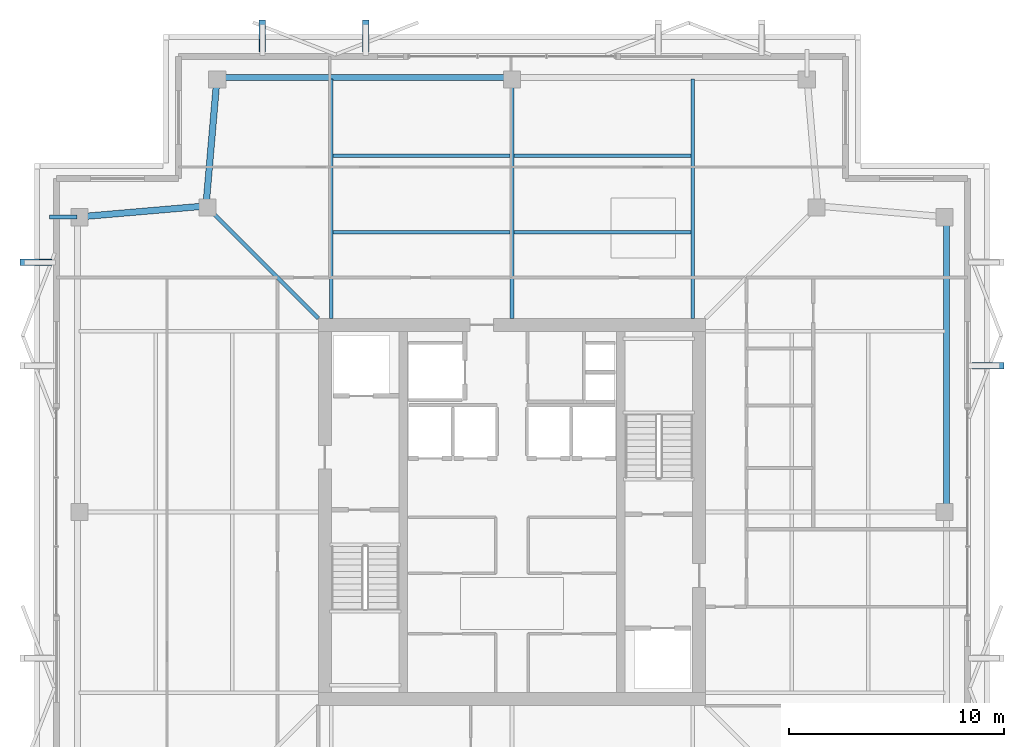
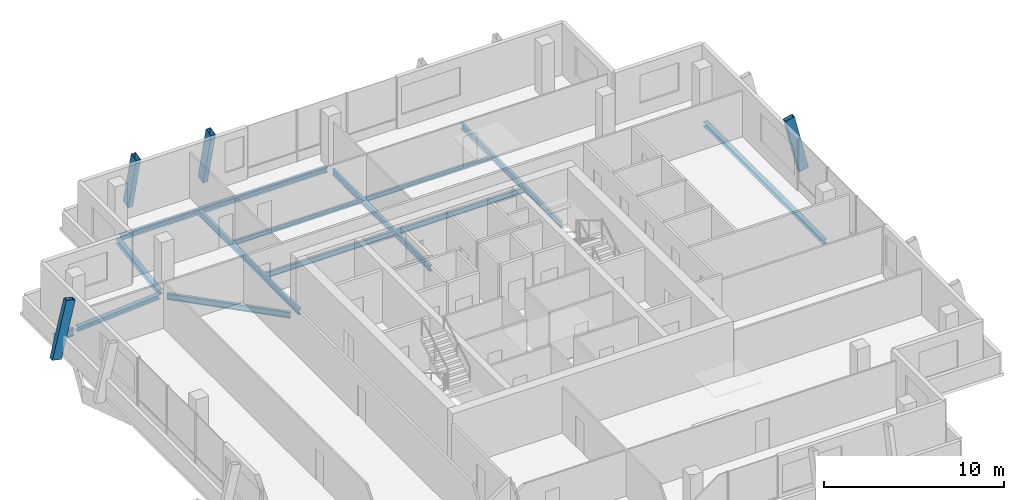
# One storey, part 11 of 18: 13 beams, 4 members.
"""IFC4 building model written with IfcOpenShell, lengths in metres."""

from ifc_helpers import new_model, si_unit, direction, frame, origin, origin_2d, place, context, subcontext, project, spatial, hollow_rectangle, i_section, extrude, material, material_profile, profile_set, type_object, element, save


model = new_model("IFC4")

# Units and contexts
model_context = context("Model", 3, precision=1e-05, world=origin(), true_north=direction((0.0, 1.0)))
body_context = subcontext(model_context, "Body", "Model", "MODEL_VIEW")
ifc_project = project(units=[si_unit("LENGTHUNIT", "METRE"), si_unit("AREAUNIT", "SQUARE_METRE"), si_unit("VOLUMEUNIT", "CUBIC_METRE"), si_unit("PLANEANGLEUNIT", "RADIAN"), si_unit("MASSUNIT", "GRAM", prefix="KILO")], contexts=[model_context])

# Site, building, storey
site_placement = place(None, origin())
site = spatial("IfcSite", under=ifc_project, at=site_placement, CompositionType="ELEMENT")
building_placement = place(site_placement, origin())
building = spatial("IfcBuilding", under=site, at=building_placement, Name="Belovzor Exchange Tower", CompositionType="ELEMENT")
storey_placement = place(building_placement, frame((0.0, 0.0, 344.25)))
storey = spatial("IfcBuildingStorey", under=building, at=storey_placement, Name="L86", CompositionType="ELEMENT", Elevation=344.25)

# Beams
ifc_material_1 = material(Name="Steel S355", Category="steel")
ifc_material_profile_1 = material_profile(ifc_material_1, i_section(OverallWidth=0.199951171875, OverallDepth=0.5, WebThickness=0.01025390625, FlangeThickness=0.01611328125, at=origin_2d()))
ifc_profile_set_1 = profile_set([ifc_material_profile_1], Name="Steel S355")
beam_type_1 = type_object("IfcBeamType", Name="Planted Balcony Cantilever Beam IPE 500", PredefinedType="BEAM", material=ifc_profile_set_1)
beam_1_placement = place(storey_placement, frame((8.58203125, 42.512939453125, -0.489990234375), z_axis=(-1.0, 0.0, 0.0), x_axis=(0.0, -1.0, 0.0)))
element("IfcBeam", 1, at=beam_1_placement, inside=storey, type_object=beam_type_1, Name="BC-500 Planted Balcony Cantilever Beam IPE 500", PredefinedType="BEAM", context=body_context, shape_type="SweptSolid", body=[
    extrude(i_section(OverallWidth=0.199951171875, OverallDepth=0.5, WebThickness=0.01025390625, FlangeThickness=0.01611328125, at=origin_2d()), origin(), (0.0, 0.0, 1.0), 1.281982421875),
])
ifc_material_2 = material(Name="Steel S355", Category="steel")
ifc_material_profile_2 = material_profile(ifc_material_2, i_section(OverallWidth=0.169921875, OverallDepth=0.360107421875, WebThickness=0.008056640625, FlangeThickness=0.0126953125, at=origin_2d()))
ifc_profile_set_2 = profile_set([ifc_material_profile_2], Name="Steel S355")
beam_type_2 = type_object("IfcBeamType", Name="Secondary Infill Floor Joist IPE 360", PredefinedType="BEAM", material=ifc_profile_set_2)
beam_2_placement = place(storey_placement, frame((20.489990234375, 41.802978515625, -0.419921875), z_axis=(1.0, 0.0, 0.0), x_axis=(0.0, 1.0, 0.0)))
element("IfcBeam", 2, at=beam_2_placement, inside=storey, type_object=beam_type_2, Name="FJ-360 Secondary Infill Floor Joist IPE 360", PredefinedType="BEAM", context=body_context, shape_type="SweptSolid", body=[
    extrude(i_section(OverallWidth=0.169921875, OverallDepth=0.360107421875, WebThickness=0.008056640625, FlangeThickness=0.0126953125, at=origin_2d()), origin(), (0.0, 0.0, 1.0), 8.219970703125),
])
beam_3_placement = place(storey_placement, frame((28.889892578125, 41.802978515625, -0.419921875), z_axis=(1.0, 0.0, 0.0), x_axis=(0.0, 1.0, 0.0)))
element("IfcBeam", 3, at=beam_3_placement, inside=storey, type_object=beam_type_2, Name="FJ-360 Secondary Infill Floor Joist IPE 360", PredefinedType="BEAM", context=body_context, shape_type="SweptSolid", body=[
    extrude(i_section(OverallWidth=0.169921875, OverallDepth=0.360107421875, WebThickness=0.008056640625, FlangeThickness=0.0126953125, at=origin_2d()), origin(), (0.0, 0.0, 1.0), 8.22021484375),
])
ifc_material_3 = material(Name="Steel S355", Category="steel")
ifc_material_profile_3 = material_profile(ifc_material_3, i_section(OverallWidth=0.14990234375, OverallDepth=0.300048828125, WebThickness=0.007080078125, FlangeThickness=0.0107421875, at=origin_2d()))
ifc_profile_set_3 = profile_set([ifc_material_profile_3], Name="Steel S355")
beam_type_3 = type_object("IfcBeamType", Name="Secondary Trim Floor Joist IPE 300", PredefinedType="BEAM", material=ifc_profile_set_3)
beam_4_placement = place(storey_placement, frame((20.489990234375, 45.361083984375, -0.389892578125), z_axis=(1.0, 0.0, 0.0), x_axis=(0.0, 1.0, 0.0)))
element("IfcBeam", 4, at=beam_4_placement, inside=storey, type_object=beam_type_3, Name="FJ-300 Secondary Trim Floor Joist IPE 300", PredefinedType="BEAM", context=body_context, shape_type="SweptSolid", body=[
    extrude(i_section(OverallWidth=0.14990234375, OverallDepth=0.300048828125, WebThickness=0.007080078125, FlangeThickness=0.0107421875, at=origin_2d()), origin(), (0.0, 0.0, 1.0), 8.219970703125),
])
beam_5_placement = place(storey_placement, frame((28.889892578125, 45.361083984375, -0.389892578125), z_axis=(1.0, 0.0, 0.0), x_axis=(0.0, 1.0, 0.0)))
element("IfcBeam", 5, at=beam_5_placement, inside=storey, type_object=beam_type_3, Name="FJ-300 Secondary Trim Floor Joist IPE 300", PredefinedType="BEAM", context=body_context, shape_type="SweptSolid", body=[
    extrude(i_section(OverallWidth=0.14990234375, OverallDepth=0.300048828125, WebThickness=0.007080078125, FlangeThickness=0.0107421875, at=origin_2d()), origin(), (0.0, 0.0, 1.0), 8.22021484375),
])

# Members
ifc_material_4 = material(Name="Extruded Architectural Terracotta on Steel S355 Carrier", Category="masonry")
ifc_material_profile_4 = material_profile(ifc_material_4, hollow_rectangle(XDim=0.300048828125, YDim=0.60009765625, WallThickness=0.01611328125, at=origin_2d()))
ifc_profile_set_4 = profile_set([ifc_material_profile_4], Name="Extruded Architectural Terracotta on Steel S355 Carrier")
member_type = type_object("IfcMemberType", Name="Upper Crown Terracotta Fin Assembly 550", PredefinedType="USERDEFINED", material=ifc_profile_set_4)
for number, where, z_axis, x_axis, name in (
    (6, (17.199951171875, 51.375, -0.239990234375), (0.0, -0.233349008819, 0.972393048146), (1.0, 0.0, 0.0), "FIN-TC055 Terracotta Facade Fin L86 N1"),
    (7, (22.0, 51.375, -0.239990234375), (0.0, -0.233349008819, 0.972393048146), (1.0, 0.0, 0.0), "FIN-TC055 Terracotta Facade Fin L86 N2"),
    (8, (51.375, 35.60009765625, -0.239990234375), (-0.233349008819, 0.0, 0.972393048146), (0.0, -1.0, 0.0), "FIN-TC055 Terracotta Facade Fin L86 E3"),
    (9, (6.22509765625, 40.39990234375, -0.239990234375), (0.233349008819, 0.0, 0.972393048146), (0.0, 1.0, 0.0), "FIN-TC055 Terracotta Facade Fin L86 W4"),
):
    element("IfcMember", number, at=place(storey_placement, frame(where, z_axis=z_axis, x_axis=x_axis)), inside=storey, type_object=member_type, Name=name, ObjectType="FIN", PredefinedType="USERDEFINED", context=body_context, shape_type="SweptSolid", body=[
        extrude(hollow_rectangle(XDim=0.300048828125, YDim=0.60009765625, WallThickness=0.01611328125, at=origin_2d()), origin(), (0.0, 0.0, 1.0), 3.8564453125),
    ])

# Beams
ifc_material_5 = material(Name="Steel S355", Category="steel")
ifc_material_profile_5 = material_profile(ifc_material_5, i_section(OverallWidth=0.179931640625, OverallDepth=0.39990234375, WebThickness=0.008544921875, FlangeThickness=0.013427734375, at=origin_2d()))
ifc_profile_set_5 = profile_set([ifc_material_profile_5], Name="Steel S355")
beam_type_4 = type_object("IfcBeamType", Name="Zone 5-6 Radial Composite Floor Beam IPE 400", PredefinedType="BEAM", material=ifc_profile_set_5)
beam_6_placement = place(storey_placement, frame((20.39990234375, 37.800048828125, -0.43994140625), z_axis=(0.0, 1.0, 0.0), x_axis=(-1.0, 0.0, 0.0)))
element("IfcBeam", 10, at=beam_6_placement, inside=storey, type_object=beam_type_4, Name="FB-400 Zone 5-6 Radial Composite Floor Beam IPE 400", PredefinedType="BEAM", context=body_context, shape_type="SweptSolid", body=[
    extrude(i_section(OverallWidth=0.179931640625, OverallDepth=0.39990234375, WebThickness=0.008544921875, FlangeThickness=0.013427734375, at=origin_2d()), origin(), (0.0, 0.0, 1.0), 11.118896484375),
])
beam_7_placement = place(storey_placement, frame((28.800048828125, 37.800048828125, -0.43994140625), z_axis=(0.0, 1.0, 0.0), x_axis=(-1.0, 0.0, 0.0)))
element("IfcBeam", 11, at=beam_7_placement, inside=storey, type_object=beam_type_4, Name="FB-400 Zone 5-6 Radial Composite Floor Beam IPE 400", PredefinedType="BEAM", context=body_context, shape_type="SweptSolid", body=[
    extrude(i_section(OverallWidth=0.179931640625, OverallDepth=0.39990234375, WebThickness=0.008544921875, FlangeThickness=0.013427734375, at=origin_2d()), origin(), (0.0, 0.0, 1.0), 10.85400390625),
])
beam_8_placement = place(storey_placement, frame((37.199951171875, 37.800048828125, -0.43994140625), z_axis=(0.0, 1.0, 0.0), x_axis=(-1.0, 0.0, 0.0)))
element("IfcBeam", 12, at=beam_8_placement, inside=storey, type_object=beam_type_4, Name="FB-400 Zone 5-6 Radial Composite Floor Beam IPE 400", PredefinedType="BEAM", context=body_context, shape_type="SweptSolid", body=[
    extrude(i_section(OverallWidth=0.179931640625, OverallDepth=0.39990234375, WebThickness=0.008544921875, FlangeThickness=0.013427734375, at=origin_2d()), origin(), (0.0, 0.0, 1.0), 11.118896484375),
])
beam_9_placement = place(storey_placement, frame((19.800048828125, 37.800048828125, -0.43994140625), z_axis=(-0.707106781187, 0.707106781187, 0.0), x_axis=(-0.707106781187, -0.707106781187, 0.0)))
element("IfcBeam", 13, at=beam_9_placement, inside=storey, type_object=beam_type_4, Name="FB-400 Zone 5-6 Radial Composite Floor Beam IPE 400", PredefinedType="BEAM", context=body_context, shape_type="SweptSolid", body=[
    extrude(i_section(OverallWidth=0.179931640625, OverallDepth=0.39990234375, WebThickness=0.008544921875, FlangeThickness=0.013427734375, at=origin_2d()), origin(), (0.0, 0.0, 1.0), 7.103515625),
])
ifc_material_6 = material(Name="Steel S355", Category="steel")
ifc_material_profile_6 = material_profile(ifc_material_6, i_section(OverallWidth=0.300048828125, OverallDepth=0.300048828125, WebThickness=0.008544921875, FlangeThickness=0.013916015625, at=origin_2d()))
ifc_profile_set_6 = profile_set([ifc_material_profile_6], Name="Steel S355")
beam_type_5 = type_object("IfcBeamType", Name="Zone 6 Primary Girder HEA 300", PredefinedType="BEAM", material=ifc_profile_set_6)
for number, where, z_axis, x_axis, name in (
    (14, (48.993896484375, 29.02001953125, -0.389892578125), (0.0, 1.0, 0.0), (-1.0, 0.0, 0.0), "FG-Z6 Zone 6 Primary Girder HEA 300"),
    (15, (28.580078125, 48.993896484375, -0.389892578125), (-1.0, 0.0, 0.0), (0.0, -1.0, 0.0), "FG-Z6 Zone 6 Primary Girder HEA 300"),
):
    element("IfcBeam", number, at=place(storey_placement, frame(where, z_axis=z_axis, x_axis=x_axis)), inside=storey, type_object=beam_type_5, Name=name, PredefinedType="BEAM", context=body_context, shape_type="SweptSolid", body=[
        extrude(i_section(OverallWidth=0.300048828125, OverallDepth=0.300048828125, WebThickness=0.008544921875, FlangeThickness=0.013916015625, at=origin_2d()), origin(), (0.0, 0.0, 1.0), 13.27001953125),
    ])
for number, where, z_axis, x_axis, name in (
    (16, (15.071044921875, 48.77490234375, -0.389892578125), (-0.085552018284, -0.996333705225, 0.0), (0.996333705225, -0.085552018284, 0.0), "FG-Z6 Zone 6 Primary Girder HEA 300"),
    (17, (14.35791015625, 43.00390625, -0.389892578125), (-0.996337451618, -0.085508376799, 0.0), (0.085508376799, -0.996337451618, 0.0), "FG-Z6 Zone 6 Primary Girder HEA 300"),
):
    element("IfcBeam", number, at=place(storey_placement, frame(where, z_axis=z_axis, x_axis=x_axis)), inside=storey, type_object=beam_type_5, Name=name, PredefinedType="BEAM", context=body_context, shape_type="SweptSolid", body=[
        extrude(i_section(OverallWidth=0.300048828125, OverallDepth=0.300048828125, WebThickness=0.008544921875, FlangeThickness=0.013916015625, at=origin_2d()), origin(), (0.0, 0.0, 1.0), 5.55322265625),
    ])

save(model, "model.ifc")
